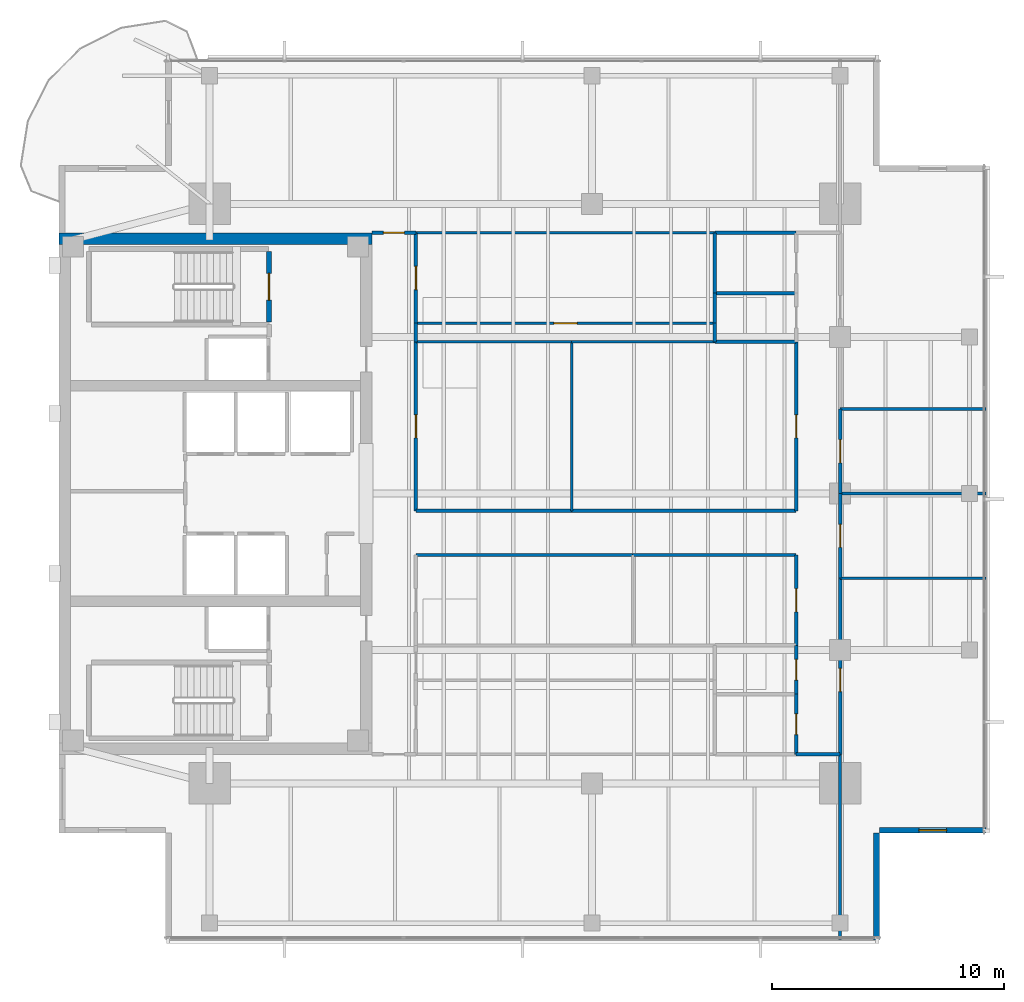
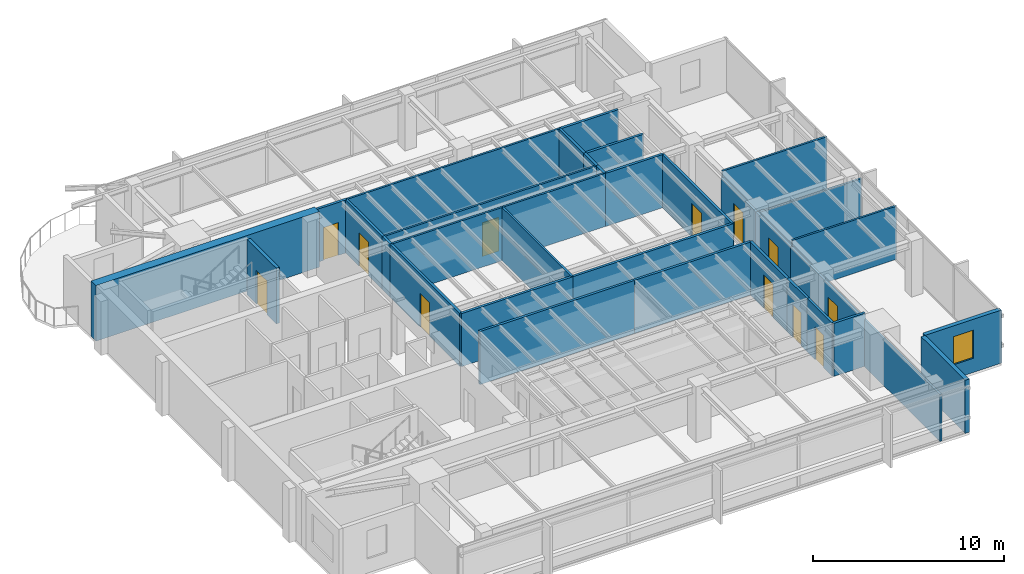
# One storey, part 9 of 14: 35 walls, 12 doors, 1 window, 13 openings.
"""IFC4 building model written with IfcOpenShell, lengths in metres."""

import ifcopenshell
import ifcopenshell.guid

model = None  # the IFC model being written
_history = None  # IfcOwnerHistory: only IFC2X3 demands one
_inside = {}  # id of a spatial element -> (the spatial element, [elements in it])
_under = {}  # id of a project, library or spatial element -> (it, [spatial elements below it])
_declared = {}  # id of a project -> (the project, [libraries it declares])
_typed = {}  # id of a type object -> (the type object, [elements of that type])
_made_of = {}  # id of a material, layer set ... -> (it, [elements and type objects made of it])


def new_model(schema):
    """Start an empty IFC model of exactly this schema.

    Asked for "IFC4X3", IfcOpenShell would pick the latest addendum, in which some entities
    have other attributes; the version numbers below select the first issue.
    IFC2X3 requires an IfcOwnerHistory on every rooted entity: one is made here for all.
    """
    global model, _history
    if schema == "IFC4X3":
        model = ifcopenshell.file(schema_version=(4, 3, 0, 0))
    else:
        model = ifcopenshell.file(schema=schema)
    _inside.clear()
    _under.clear()
    _declared.clear()
    _typed.clear()
    _made_of.clear()
    _history = None
    if model.schema == "IFC2X3":
        org = make("IfcOrganization", Name="unknown")
        user = make(
            "IfcPersonAndOrganization",
            ThePerson=make("IfcPerson", FamilyName="unknown"),
            TheOrganization=org,
        )
        app = make(
            "IfcApplication",
            ApplicationDeveloper=org,
            Version="unknown",
            ApplicationFullName="unknown",
            ApplicationIdentifier="unknown",
        )
        _history = make(
            "IfcOwnerHistory",
            OwningUser=user,
            OwningApplication=app,
            ChangeAction="ADDED",
            CreationDate=0,
        )
    return model


def make(cls, **values):
    """One entity of the class cls with the attributes given. An attribute that is None is left unset."""
    return model.create_entity(
        cls, **{name: value for name, value in values.items() if value is not None}
    )


def rooted(cls, **values):
    """An entity with a GlobalId (a new one), such as an element, a storey or a relation."""
    return make(cls, GlobalId=ifcopenshell.guid.new(), OwnerHistory=_history, **values)


def si_unit(unit_type, name, prefix=None):
    """IfcSIUnit, for example si_unit("LENGTHUNIT", "METRE", prefix="MILLI")."""
    return make("IfcSIUnit", UnitType=unit_type, Prefix=prefix, Name=name)


def assignment(units):
    """IfcUnitAssignment: the units of a project."""
    return None if units is None else make("IfcUnitAssignment", Units=units)


def point(xyz):
    """IfcCartesianPoint."""
    return None if xyz is None else make("IfcCartesianPoint", Coordinates=xyz)


def direction(xyz):
    """IfcDirection."""
    return None if xyz is None else make("IfcDirection", DirectionRatios=xyz)


def frame(location, z_axis=None, x_axis=None):
    """IfcAxis2Placement3D, a coordinate frame: its origin and axes. An axis left out is left unset."""
    return make(
        "IfcAxis2Placement3D",
        Location=point(location),
        Axis=direction(z_axis),
        RefDirection=direction(x_axis),
    )


def frame_2d(location, x_axis=None):
    """IfcAxis2Placement2D, a coordinate frame in the plane: its origin and x axis."""
    return make(
        "IfcAxis2Placement2D", Location=point(location), RefDirection=direction(x_axis)
    )


def origin():
    """The frame at (0, 0, 0) with its axes left unset."""
    return frame((0.0, 0.0, 0.0))


def place(relative_to, where):
    """IfcLocalPlacement: puts the frame where relative to a parent placement (None: the world)."""
    return make(
        "IfcLocalPlacement", PlacementRelTo=relative_to, RelativePlacement=where
    )


def context(
    kind, dimensions, precision=None, world=None, true_north=None, identifier=None
):
    """IfcGeometricRepresentationContext, for example the 3D "Model" context."""
    return make(
        "IfcGeometricRepresentationContext",
        ContextIdentifier=identifier,
        ContextType=kind,
        CoordinateSpaceDimension=dimensions,
        Precision=precision,
        WorldCoordinateSystem=world,
        TrueNorth=true_north,
    )


def subcontext(parent, identifier, kind, view, scale=None):
    """IfcGeometricRepresentationSubContext, for example "Body" below "Model"."""
    return make(
        "IfcGeometricRepresentationSubContext",
        ContextIdentifier=identifier,
        ContextType=kind,
        ParentContext=parent,
        TargetScale=scale,
        TargetView=view,
    )


def project(units=None, contexts=None):
    """IfcProject with its units and contexts."""
    return rooted(
        "IfcProject",
        Name="project",
        RepresentationContexts=contexts,
        UnitsInContext=assignment(units),
    )


def spatial(cls, under=None, at=None, **own):
    """A site, building, storey or space (cls), placed at a placement, below another one or the project."""
    s = rooted(cls, ObjectPlacement=at, **own)
    if under is not None:
        _under.setdefault(under.id(), (under, []))[1].append(s)
    return s


def profile(cls, at=None, kind="AREA", **sizes):
    """A parametric profile (cls). Its sizes go by their IFC names, for example OverallWidth=200.0."""
    return make(cls, ProfileType=kind, Position=at, **sizes)


def rectangle(**sizes):
    """IfcRectangleProfileDef."""
    return profile("IfcRectangleProfileDef", **sizes)


def extrude(swept, where, along, depth):
    """IfcExtrudedAreaSolid: the profile swept, set in the frame where, extruded along a direction by depth."""
    return make(
        "IfcExtrudedAreaSolid",
        SweptArea=swept,
        Position=where,
        ExtrudedDirection=direction(along),
        Depth=depth,
    )


def shape(context_of_items, identifier, shape_type, items):
    """IfcShapeRepresentation: the items that make up one representation, for example the "Body"."""
    return make(
        "IfcShapeRepresentation",
        ContextOfItems=context_of_items,
        RepresentationIdentifier=identifier,
        RepresentationType=shape_type,
        Items=items,
    )


def material(Name=None, Category=None):
    """IfcMaterial."""
    return make("IfcMaterial", Name=Name, Category=Category)


def layer(
    of_material, thickness, ventilated=None, Name=None, Category=None, Priority=None
):
    """IfcMaterialLayer: one layer of a wall or slab, of a material (None: an air gap)."""
    return make(
        "IfcMaterialLayer",
        Material=of_material,
        LayerThickness=thickness,
        IsVentilated=ventilated,
        Name=Name,
        Category=Category,
        Priority=Priority,
    )


def layer_set(layers, Name=None):
    """IfcMaterialLayerSet."""
    return make("IfcMaterialLayerSet", MaterialLayers=layers, LayerSetName=Name)


def made_of(thing, what):
    """Note that an element or type object is made of a material, layer set ...; save() writes the relation."""
    if what is not None:
        _made_of.setdefault(what.id(), (what, []))[1].append(thing)
    return thing


def type_object(cls, material=None, **own):
    """A type object (cls), such as IfcWallType, which elements share."""
    return made_of(rooted(cls, **own), material)


def element(
    cls,
    number,
    at=None,
    inside=None,
    cuts=None,
    type_object=None,
    material=None,
    context=None,
    identifier="Body",
    shape_type=None,
    held_by="IfcProductDefinitionShape",
    body=None,
    shapes=None,
    **own,
):
    """One element of the class cls, such as IfcWall. Its Tag is "e" and its number.

    at: its placement. inside: the storey or other place that contains it. cuts: it is an
    opening in that element (IfcRelVoidsElement). A single representation is given by context,
    identifier, shape_type and body (its items); several are given by shapes. held_by: the class
    of the entity that holds the representations. save() writes the other relations.
    """
    e = rooted(cls, Tag="e%d" % number, ObjectPlacement=at, **own)
    if body is not None:
        shapes = [shape(context, identifier, shape_type, body)]
    if shapes is not None:
        e.Representation = make(held_by, Representations=shapes)
    if inside is not None:
        _inside.setdefault(inside.id(), (inside, []))[1].append(e)
    if cuts is not None:
        rooted(
            "IfcRelVoidsElement", RelatingBuildingElement=cuts, RelatedOpeningElement=e
        )
    if type_object is not None:
        _typed.setdefault(type_object.id(), (type_object, []))[1].append(e)
    return made_of(e, material)


def fill(opening, filler):
    """IfcRelFillsElement: the door or window that sits in an opening."""
    return rooted(
        "IfcRelFillsElement",
        RelatingOpeningElement=opening,
        RelatedBuildingElement=filler,
    )


def aggregate(whole, parts):
    """IfcRelAggregates: a whole, such as a stair, and the parts it consists of."""
    return rooted("IfcRelAggregates", RelatingObject=whole, RelatedObjects=parts)


def save(model, path):
    """Write the relations noted so far, then the file.

    IfcRelAggregates (storeys below a building ...), IfcRelContainedInSpatialStructure (elements
    in a storey), IfcRelDefinesByType, IfcRelAssociatesMaterial and IfcRelDeclares: one each for
    every whole, place, type object, material and project.
    """
    for whole, parts in _under.values():
        aggregate(whole, parts)
    for where, things in _inside.values():
        rooted(
            "IfcRelContainedInSpatialStructure",
            RelatedElements=things,
            RelatingStructure=where,
        )
    for kind, things in _typed.values():
        rooted("IfcRelDefinesByType", RelatedObjects=things, RelatingType=kind)
    for what, things in _made_of.values():
        rooted("IfcRelAssociatesMaterial", RelatedObjects=things, RelatingMaterial=what)
    for by, libraries in _declared.values():
        rooted("IfcRelDeclares", RelatingContext=by, RelatedDefinitions=libraries)
    model.write(path)


model = new_model("IFC4")

# Units and contexts
model_context = context("Model", 3, precision=1e-05, world=origin(), true_north=direction((0.0, 1.0)))
body_context = subcontext(model_context, "Body", "Model", "MODEL_VIEW")
ifc_project = project(units=[si_unit("LENGTHUNIT", "METRE"), si_unit("AREAUNIT", "SQUARE_METRE"), si_unit("VOLUMEUNIT", "CUBIC_METRE"), si_unit("PLANEANGLEUNIT", "RADIAN"), si_unit("MASSUNIT", "GRAM", prefix="KILO")], contexts=[model_context])

# Site, building, storey
site_placement = place(None, origin())
site = spatial("IfcSite", under=ifc_project, at=site_placement, CompositionType="ELEMENT")
building_placement = place(site_placement, origin())
building = spatial("IfcBuilding", under=site, at=building_placement, Name="Kinhvarn Gate Tower", CompositionType="ELEMENT")
storey_placement = place(building_placement, frame((0.0, 0.0, 256.35009765625)))
storey = spatial("IfcBuildingStorey", under=building, at=storey_placement, Name="L68", CompositionType="ELEMENT", Elevation=256.35009765625)

# Walls
ifc_material_1 = material(Name="Concrete C50/60", Category="concrete")
ifc_layer_1 = layer(ifc_material_1, 0.5)
ifc_layer_set_1 = layer_set([ifc_layer_1], Name="Concrete C50/60")
wall_type_1 = type_object("IfcWallType", Name="WL-CORE-500", PredefinedType="SHEAR", material=ifc_layer_set_1)
wall_1_placement = place(storey_placement, frame((4.5, 36.25, 0.0), z_axis=(0.0, 0.0, 1.0), x_axis=(1.0, 0.0, 0.0)))
element("IfcWall", 1, at=wall_1_placement, inside=storey, type_object=wall_type_1, Name="Core North Shear Wall L68 500 mm", PredefinedType="SHEAR", context=body_context, shape_type="SweptSolid", body=[
    extrude(rectangle(XDim=13.5, YDim=0.5, at=frame_2d((6.75, 0.0))), origin(), (0.0, 0.0, 1.0), 3.5498046875),
])
ifc_material_2 = material(Name="Fired architectural terracotta", Category="masonry")
ifc_layer_2 = layer(ifc_material_2, 0.25)
ifc_layer_set_2 = layer_set([ifc_layer_2], Name="Fired architectural terracotta")
wall_type_2 = type_object("IfcWallType", Name="WL-EXT-250", PredefinedType="SOLIDWALL", material=ifc_layer_set_2)
wall_2_placement = place(storey_placement, frame((39.77490234375, 6.0, 0.0), z_axis=(0.0, 0.0, 1.0), x_axis=(0.0, 1.0, 0.0)))
element("IfcWall", 2, at=wall_2_placement, inside=storey, type_object=wall_type_2, Name="Exterior Solidwall Wall EW-250 (L68 SE-Notch-1)", PredefinedType="SOLIDWALL", context=body_context, shape_type="SweptSolid", body=[
    extrude(rectangle(XDim=4.60009765625, YDim=0.25, at=frame_2d((2.300048828125, 0.0))), origin(), (0.0, 0.0, 1.0), 3.389892578125),
])

# Wall, opening, window
wall_3_placement = place(storey_placement, frame((39.89990234375, 10.72509765625, 0.0), z_axis=(0.0, 0.0, 1.0), x_axis=(1.0, 0.0, 0.0)))
wall_3 = element("IfcWall", 3, at=wall_3_placement, inside=storey, type_object=wall_type_2, Name="Exterior Solidwall Wall EW-250 (L68 SE-Notch-2)", PredefinedType="SOLIDWALL", context=body_context, shape_type="SweptSolid", body=[
    extrude(rectangle(XDim=4.60009765625, YDim=0.25, at=frame_2d((2.300048828125, 0.0))), origin(), (0.0, 0.0, 1.0), 3.389892578125),
])
opening_1_placement = place(wall_3_placement, frame((1.699951171875, 0.0, 0.89990234375)))
opening_1 = element("IfcOpeningElement", 4, at=opening_1_placement, cuts=wall_3, Name="Opening WN-02", PredefinedType="OPENING", context=body_context, shape_type="SweptSolid", body=[
    extrude(rectangle(XDim=1.199951171875, YDim=1.800048828125, at=frame_2d((0.60009765625, 0.89990234375))), frame((0.0, 0.135009765625, 0.0), z_axis=(0.0, -1.0, 0.0), x_axis=(1.0, 0.0, 0.0)), (0.0, 0.0, 1.0), 0.27001953125),
])
ifc_material_3 = material(Name="Clear low-e double glazing", Category="glass")
window_type = type_object("IfcWindowType", Name="WIN-NTC-1200", PartitioningType="SINGLE_PANEL", PredefinedType="WINDOW", material=ifc_material_3)
window_placement = place(opening_1_placement, origin())
window = element("IfcWindow", 5, at=window_placement, inside=storey, type_object=window_type, Name="Recessed Corner Notch Punched Window 1200x1800 mm (L68)", OverallHeight=1.800048828125, OverallWidth=1.199951171875, PartitioningType="SINGLE_PANEL", PredefinedType="WINDOW", context=body_context, shape_type="SweptSolid", body=[
    extrude(rectangle(XDim=1.199951171875, YDim=1.800048828125, at=frame_2d((0.60009765625, 0.89990234375))), frame((0.0, 0.030029296875, 0.0), z_axis=(0.0, -1.0, 0.0), x_axis=(1.0, 0.0, 0.0)), (0.0, 0.0, 1.0), 0.06005859375),
])
fill(opening_1, window)

# Walls
ifc_material_4 = material(Name="Gypsum acoustic partition board")
ifc_layer_3 = layer(ifc_material_4, 0.14990234375)
ifc_layer_set_3 = layer_set([ifc_layer_3], Name="Gypsum acoustic partition board")
wall_type_3 = type_object("IfcWallType", Name="WL-PLM-150", PredefinedType="PLUMBINGWALL", material=ifc_layer_set_3)
wall_4_placement = place(storey_placement, frame((32.800048828125, 33.89990234375, 0.0), z_axis=(0.0, 0.0, 1.0), x_axis=(1.0, 0.0, 0.0)))
element("IfcWall", 6, at=wall_4_placement, inside=storey, type_object=wall_type_3, Name="Interior Partition PLW-150 (L68)", PredefinedType="PLUMBINGWALL", context=body_context, shape_type="SweptSolid", body=[
    extrude(rectangle(XDim=3.5, YDim=0.14990234375, at=frame_2d((1.75, 0.0))), origin(), (0.0, 0.0, 1.0), 3.389892578125),
])
wall_5_placement = place(storey_placement, frame((32.800048828125, 33.89990234375, 0.0), z_axis=(0.0, 0.0, 1.0), x_axis=(0.0, 1.0, 0.0)))
element("IfcWall", 7, at=wall_5_placement, inside=storey, type_object=wall_type_3, Name="Interior Partition PLW-150 (L68)", PredefinedType="PLUMBINGWALL", context=body_context, shape_type="SweptSolid", body=[
    extrude(rectangle(XDim=2.60009765625, YDim=0.14990234375, at=frame_2d((1.300048828125, 0.0))), origin(), (0.0, 0.0, 1.0), 3.389892578125),
])
wall_6_placement = place(storey_placement, frame((32.800048828125, 36.5, 0.0), z_axis=(0.0, 0.0, 1.0), x_axis=(1.0, 0.0, 0.0)))
element("IfcWall", 8, at=wall_6_placement, inside=storey, type_object=wall_type_3, Name="Interior Partition PLW-150 (L68)", PredefinedType="PLUMBINGWALL", context=body_context, shape_type="SweptSolid", body=[
    extrude(rectangle(XDim=3.5, YDim=0.14990234375, at=frame_2d((1.75, 0.0))), origin(), (0.0, 0.0, 1.0), 3.389892578125),
])
wall_7_placement = place(storey_placement, frame((32.800048828125, 32.60009765625, 0.0), z_axis=(0.0, 0.0, 1.0), x_axis=(0.0, 1.0, 0.0)))
element("IfcWall", 9, at=wall_7_placement, inside=storey, type_object=wall_type_3, Name="Interior Partition PLW-150 (L68)", PredefinedType="PLUMBINGWALL", context=body_context, shape_type="SweptSolid", body=[
    extrude(rectangle(XDim=1.2998046875, YDim=0.14990234375, at=frame_2d((0.64990234375, 0.0))), origin(), (0.0, 0.0, 1.0), 3.389892578125),
])
wall_8_placement = place(storey_placement, frame((32.800048828125, 31.800048828125, 0.0), z_axis=(0.0, 0.0, 1.0), x_axis=(0.0, 1.0, 0.0)))
element("IfcWall", 10, at=wall_8_placement, inside=storey, type_object=wall_type_3, Name="Interior Partition PLW-150 (L68)", PredefinedType="PLUMBINGWALL", context=body_context, shape_type="SweptSolid", body=[
    extrude(rectangle(XDim=0.800048828125, YDim=0.14990234375, at=frame_2d((0.39990234375, 0.0))), origin(), (0.0, 0.0, 1.0), 3.389892578125),
])
wall_9_placement = place(storey_placement, frame((32.800048828125, 31.800048828125, 0.0), z_axis=(0.0, 0.0, 1.0), x_axis=(1.0, 0.0, 0.0)))
element("IfcWall", 11, at=wall_9_placement, inside=storey, type_object=wall_type_3, Name="Interior Partition PLW-150 (L68)", PredefinedType="PLUMBINGWALL", context=body_context, shape_type="SweptSolid", body=[
    extrude(rectangle(XDim=3.5, YDim=0.14990234375, at=frame_2d((1.75, 0.0))), origin(), (0.0, 0.0, 1.0), 3.389892578125),
])

# Wall, opening, door
ifc_layer_4 = layer(ifc_material_4, 0.14990234375)
ifc_layer_set_4 = layer_set([ifc_layer_4], Name="Gypsum acoustic partition board")
wall_type_4 = type_object("IfcWallType", Name="WL-PLM-150F", PredefinedType="PLUMBINGWALL", material=ifc_layer_set_4)
wall_10_placement = place(storey_placement, frame((36.300048828125, 14.0, 0.0), z_axis=(0.0, 0.0, 1.0), x_axis=(0.0, 1.0, 0.0)))
wall_10 = element("IfcWall", 12, at=wall_10_placement, inside=storey, type_object=wall_type_4, Name="Interior Partition PLW-150F (L68)", PredefinedType="PLUMBINGWALL", context=body_context, shape_type="SweptSolid", body=[
    extrude(rectangle(XDim=2.60009765625, YDim=0.14990234375, at=frame_2d((1.300048828125, 0.0))), origin(), (0.0, 0.0, 1.0), 3.389892578125),
])
opening_2_placement = place(wall_10_placement, frame((0.85009765625, 0.0, 0.0)))
opening_2 = element("IfcOpeningElement", 13, at=opening_2_placement, cuts=wall_10, Name="Opening FD-04", PredefinedType="OPENING", context=body_context, shape_type="SweptSolid", body=[
    extrude(rectangle(XDim=0.89990234375, YDim=2.10009765625, at=frame_2d((0.449951171875, 1.050048828125))), frame((0.0, 0.0849609375, 0.0), z_axis=(0.0, -1.0, 0.0), x_axis=(1.0, 0.0, 0.0)), (0.0, 0.0, 1.0), 0.169921875),
])
ifc_material_5 = material(Name="Anodised aluminium AW-6063", Category="aluminium")
door_type_1 = type_object("IfcDoorType", Name="DR-FD-900", OperationType="NOTDEFINED", PredefinedType="DOOR", material=ifc_material_5)
door_1_placement = place(opening_2_placement, origin())
door_1 = element("IfcDoor", 14, at=door_1_placement, inside=storey, type_object=door_type_1, Name="Rated Riser & Service Closet Fire Door 900x2100 mm (L68)", OperationType="SINGLE_SWING_LEFT", OverallHeight=2.10009765625, OverallWidth=0.89990234375, PredefinedType="DOOR", context=body_context, shape_type="SweptSolid", body=[
    extrude(rectangle(XDim=0.89990234375, YDim=2.10009765625, at=frame_2d((0.449951171875, 1.050048828125))), frame((0.0, 0.02490234375, 0.0), z_axis=(0.0, -1.0, 0.0), x_axis=(1.0, 0.0, 0.0)), (0.0, 0.0, 1.0), 0.050048828125),
])
fill(opening_2, door_1)

wall_11_placement = place(storey_placement, frame((36.300048828125, 16.60009765625, 0.0), z_axis=(0.0, 0.0, 1.0), x_axis=(0.0, 1.0, 0.0)))
wall_11 = element("IfcWall", 15, at=wall_11_placement, inside=storey, type_object=wall_type_4, Name="Interior Partition PLW-150F (L68)", PredefinedType="PLUMBINGWALL", context=body_context, shape_type="SweptSolid", body=[
    extrude(rectangle(XDim=2.099853515625, YDim=0.14990234375, at=frame_2d((1.0498046875, 0.0))), origin(), (0.0, 0.0, 1.0), 3.389892578125),
])
opening_3_placement = place(wall_11_placement, frame((0.60009765625, 0.0, 0.0)))
opening_3 = element("IfcOpeningElement", 16, at=opening_3_placement, cuts=wall_11, Name="Opening FD-04", PredefinedType="OPENING", context=body_context, shape_type="SweptSolid", body=[
    extrude(rectangle(XDim=0.89990234375, YDim=2.10009765625, at=frame_2d((0.449951171875, 1.050048828125))), frame((0.0, 0.0849609375, 0.0), z_axis=(0.0, -1.0, 0.0), x_axis=(1.0, 0.0, 0.0)), (0.0, 0.0, 1.0), 0.169921875),
])
door_2_placement = place(opening_3_placement, origin())
door_2 = element("IfcDoor", 17, at=door_2_placement, inside=storey, type_object=door_type_1, Name="Rated Riser & Service Closet Fire Door 900x2100 mm (L68)", OperationType="SINGLE_SWING_LEFT", OverallHeight=2.10009765625, OverallWidth=0.89990234375, PredefinedType="DOOR", context=body_context, shape_type="SweptSolid", body=[
    extrude(rectangle(XDim=0.89990234375, YDim=2.10009765625, at=frame_2d((0.449951171875, 1.050048828125))), frame((0.0, 0.02490234375, 0.0), z_axis=(0.0, -1.0, 0.0), x_axis=(1.0, 0.0, 0.0)), (0.0, 0.0, 1.0), 0.050048828125),
])
fill(opening_3, door_2)

ifc_layer_5 = layer(ifc_material_4, 0.1201171875)
ifc_layer_set_5 = layer_set([ifc_layer_5], Name="Gypsum acoustic partition board")
wall_type_5 = type_object("IfcWallType", Name="WL-PRT-120", PredefinedType="PARTITIONING", material=ifc_layer_set_5)
wall_12_placement = place(storey_placement, frame((19.89990234375, 32.60009765625, 0.0), z_axis=(0.0, 0.0, 1.0), x_axis=(1.0, 0.0, 0.0)))
wall_12 = element("IfcWall", 18, at=wall_12_placement, inside=storey, type_object=wall_type_5, Name="Interior Partition PW-120 (L68)", PredefinedType="PARTITIONING", context=body_context, shape_type="SweptSolid", body=[
    extrude(rectangle(XDim=12.900146484375, YDim=0.1201171875, at=frame_2d((6.4501953125, 0.0))), origin(), (0.0, 0.0, 1.0), 3.389892578125),
])
opening_4_placement = place(wall_12_placement, frame((5.949951171875, 0.0, 0.0)))
opening_4 = element("IfcOpeningElement", 19, at=opening_4_placement, cuts=wall_12, Name="Opening ID-02", PredefinedType="OPENING", context=body_context, shape_type="SweptSolid", body=[
    extrude(rectangle(XDim=1.0, YDim=2.14990234375, at=frame_2d((0.5, 1.074951171875))), frame((0.0, 0.070068359375, 0.0), z_axis=(0.0, -1.0, 0.0), x_axis=(1.0, 0.0, 0.0)), (0.0, 0.0, 1.0), 0.14013671875),
])
door_type_2 = type_object("IfcDoorType", Name="DR-INT-1000", OperationType="NOTDEFINED", PredefinedType="DOOR", material=ifc_material_5)
door_3_placement = place(opening_4_placement, origin())
door_3 = element("IfcDoor", 20, at=door_3_placement, inside=storey, type_object=door_type_2, Name="Standard Office & Meeting Room Door 1000x2150 mm (L68)", OperationType="SINGLE_SWING_LEFT", OverallHeight=2.14990234375, OverallWidth=1.0, PredefinedType="DOOR", context=body_context, shape_type="SweptSolid", body=[
    extrude(rectangle(XDim=1.0, YDim=2.14990234375, at=frame_2d((0.5, 1.074951171875))), frame((0.0, 0.02490234375, 0.0), z_axis=(0.0, -1.0, 0.0), x_axis=(1.0, 0.0, 0.0)), (0.0, 0.0, 1.0), 0.050048828125),
])
fill(opening_4, door_3)

# Walls
wall_13_placement = place(storey_placement, frame((19.89990234375, 36.5, 0.0), z_axis=(0.0, 0.0, 1.0), x_axis=(1.0, 0.0, 0.0)))
element("IfcWall", 21, at=wall_13_placement, inside=storey, type_object=wall_type_5, Name="Interior Partition PW-120 (L68)", PredefinedType="PARTITIONING", context=body_context, shape_type="SweptSolid", body=[
    extrude(rectangle(XDim=12.900146484375, YDim=0.1201171875, at=frame_2d((6.4501953125, 0.0))), origin(), (0.0, 0.0, 1.0), 3.389892578125),
])
wall_14_placement = place(storey_placement, frame((19.89990234375, 31.800048828125, 0.0), z_axis=(0.0, 0.0, 1.0), x_axis=(1.0, 0.0, 0.0)))
element("IfcWall", 22, at=wall_14_placement, inside=storey, type_object=wall_type_5, Name="Interior Partition PW-120 (L68)", PredefinedType="PARTITIONING", context=body_context, shape_type="SweptSolid", body=[
    extrude(rectangle(XDim=6.72021484375, YDim=0.1201171875, at=frame_2d((3.360107421875, 0.0))), origin(), (0.0, 0.0, 1.0), 3.389892578125),
])
wall_15_placement = place(storey_placement, frame((26.6201171875, 31.800048828125, 0.0), z_axis=(0.0, 0.0, 1.0), x_axis=(1.0, 0.0, 0.0)))
element("IfcWall", 23, at=wall_15_placement, inside=storey, type_object=wall_type_5, Name="Interior Partition PW-120 (L68)", PredefinedType="PARTITIONING", context=body_context, shape_type="SweptSolid", body=[
    extrude(rectangle(XDim=6.179931640625, YDim=0.1201171875, at=frame_2d((3.08984375, 0.0))), origin(), (0.0, 0.0, 1.0), 3.389892578125),
])
wall_16_placement = place(storey_placement, frame((26.6201171875, 24.5, 0.0), z_axis=(0.0, 0.0, 1.0), x_axis=(0.0, 1.0, 0.0)))
element("IfcWall", 24, at=wall_16_placement, inside=storey, type_object=wall_type_5, Name="Interior Partition PW-120 (L68)", PredefinedType="PARTITIONING", context=body_context, shape_type="SweptSolid", body=[
    extrude(rectangle(XDim=7.300048828125, YDim=0.1201171875, at=frame_2d((3.64990234375, 0.0))), origin(), (0.0, 0.0, 1.0), 3.389892578125),
])
wall_17_placement = place(storey_placement, frame((38.199951171875, 6.010009765625, 0.0), z_axis=(0.0, 0.0, 1.0), x_axis=(0.0, 1.0, 0.0)))
element("IfcWall", 25, at=wall_17_placement, inside=storey, type_object=wall_type_5, Name="Interior Partition PW-120 (L68)", PredefinedType="PARTITIONING", context=body_context, shape_type="SweptSolid", body=[
    extrude(rectangle(XDim=7.989990234375, YDim=0.1201171875, at=frame_2d((3.9951171875, 0.0))), origin(), (0.0, 0.0, 1.0), 2.989990234375),
])
wall_18_placement = place(storey_placement, frame((38.199951171875, 21.60009765625, 0.0), z_axis=(0.0, 0.0, 1.0), x_axis=(1.0, 0.0, 0.0)))
element("IfcWall", 26, at=wall_18_placement, inside=storey, type_object=wall_type_5, Name="Interior Partition PW-120 (L68)", PredefinedType="PARTITIONING", context=body_context, shape_type="SweptSolid", body=[
    extrude(rectangle(XDim=6.2900390625, YDim=0.1201171875, at=frame_2d((3.14501953125, 0.0))), origin(), (0.0, 0.0, 1.0), 3.389892578125),
])
wall_19_placement = place(storey_placement, frame((38.199951171875, 25.25, 0.0), z_axis=(0.0, 0.0, 1.0), x_axis=(1.0, 0.0, 0.0)))
element("IfcWall", 27, at=wall_19_placement, inside=storey, type_object=wall_type_5, Name="Interior Partition PW-120 (L68)", PredefinedType="PARTITIONING", context=body_context, shape_type="SweptSolid", body=[
    extrude(rectangle(XDim=6.2900390625, YDim=0.1201171875, at=frame_2d((3.14501953125, 0.0))), origin(), (0.0, 0.0, 1.0), 2.93994140625),
])
wall_20_placement = place(storey_placement, frame((38.199951171875, 28.89990234375, 0.0), z_axis=(0.0, 0.0, 1.0), x_axis=(1.0, 0.0, 0.0)))
element("IfcWall", 28, at=wall_20_placement, inside=storey, type_object=wall_type_5, Name="Interior Partition PW-120 (L68)", PredefinedType="PARTITIONING", context=body_context, shape_type="SweptSolid", body=[
    extrude(rectangle(XDim=6.2900390625, YDim=0.1201171875, at=frame_2d((3.14501953125, 0.0))), origin(), (0.0, 0.0, 1.0), 3.389892578125),
])

# Wall, opening, door
ifc_layer_6 = layer(ifc_material_4, 0.14990234375)
ifc_layer_set_6 = layer_set([ifc_layer_6], Name="Gypsum acoustic partition board")
wall_type_6 = type_object("IfcWallType", Name="WL-PRT-150F", PredefinedType="PARTITIONING", material=ifc_layer_set_6)
wall_21_placement = place(storey_placement, frame((19.89990234375, 32.60009765625, 0.0), z_axis=(0.0, 0.0, 1.0), x_axis=(0.0, 1.0, 0.0)))
wall_21 = element("IfcWall", 29, at=wall_21_placement, inside=storey, type_object=wall_type_6, Name="Interior Partition PW-150F (L68)", PredefinedType="PARTITIONING", context=body_context, shape_type="SweptSolid", body=[
    extrude(rectangle(XDim=3.89990234375, YDim=0.14990234375, at=frame_2d((1.949951171875, 0.0))), origin(), (0.0, 0.0, 1.0), 3.389892578125),
])
opening_5_placement = place(wall_21_placement, frame((1.449951171875, 0.0, 0.0)))
opening_5 = element("IfcOpeningElement", 30, at=opening_5_placement, cuts=wall_21, Name="Opening ID-02", PredefinedType="OPENING", context=body_context, shape_type="SweptSolid", body=[
    extrude(rectangle(XDim=1.0, YDim=2.14990234375, at=frame_2d((0.5, 1.074951171875))), frame((0.0, 0.0849609375, 0.0), z_axis=(0.0, -1.0, 0.0), x_axis=(1.0, 0.0, 0.0)), (0.0, 0.0, 1.0), 0.169921875),
])
door_4_placement = place(opening_5_placement, origin())
door_4 = element("IfcDoor", 31, at=door_4_placement, inside=storey, type_object=door_type_2, Name="Standard Office & Meeting Room Door 1000x2150 mm (L68)", OperationType="SINGLE_SWING_RIGHT", OverallHeight=2.14990234375, OverallWidth=1.0, PredefinedType="DOOR", context=body_context, shape_type="SweptSolid", body=[
    extrude(rectangle(XDim=1.0, YDim=2.14990234375, at=frame_2d((0.5, 1.074951171875))), frame((0.0, 0.02490234375, 0.0), z_axis=(0.0, -1.0, 0.0), x_axis=(1.0, 0.0, 0.0)), (0.0, 0.0, 1.0), 0.050048828125),
])
fill(opening_5, door_4)

# Wall
wall_22_placement = place(storey_placement, frame((19.89990234375, 31.800048828125, 0.0), z_axis=(0.0, 0.0, 1.0), x_axis=(0.0, 1.0, 0.0)))
element("IfcWall", 32, at=wall_22_placement, inside=storey, type_object=wall_type_6, Name="Interior Partition PW-150F (L68)", PredefinedType="PARTITIONING", context=body_context, shape_type="SweptSolid", body=[
    extrude(rectangle(XDim=0.800048828125, YDim=0.14990234375, at=frame_2d((0.39990234375, 0.0))), origin(), (0.0, 0.0, 1.0), 3.389892578125),
])

# Wall, opening, door
wall_23_placement = place(storey_placement, frame((19.89990234375, 24.5, 0.0), z_axis=(0.0, 0.0, 1.0), x_axis=(0.0, 1.0, 0.0)))
wall_23 = element("IfcWall", 33, at=wall_23_placement, inside=storey, type_object=wall_type_6, Name="Interior Partition PW-150F (L68)", PredefinedType="PARTITIONING", context=body_context, shape_type="SweptSolid", body=[
    extrude(rectangle(XDim=7.300048828125, YDim=0.14990234375, at=frame_2d((3.64990234375, 0.0))), origin(), (0.0, 0.0, 1.0), 3.389892578125),
])
opening_6_placement = place(wall_23_placement, frame((3.14990234375, 0.0, 0.0)))
opening_6 = element("IfcOpeningElement", 34, at=opening_6_placement, cuts=wall_23, Name="Opening ID-02", PredefinedType="OPENING", context=body_context, shape_type="SweptSolid", body=[
    extrude(rectangle(XDim=1.0, YDim=2.14990234375, at=frame_2d((0.5, 1.074951171875))), frame((0.0, 0.0849609375, 0.0), z_axis=(0.0, -1.0, 0.0), x_axis=(1.0, 0.0, 0.0)), (0.0, 0.0, 1.0), 0.169921875),
])
door_5_placement = place(opening_6_placement, origin())
door_5 = element("IfcDoor", 35, at=door_5_placement, inside=storey, type_object=door_type_2, Name="Standard Office & Meeting Room Door 1000x2150 mm (L68)", OperationType="SINGLE_SWING_RIGHT", OverallHeight=2.14990234375, OverallWidth=1.0, PredefinedType="DOOR", context=body_context, shape_type="SweptSolid", body=[
    extrude(rectangle(XDim=1.0, YDim=2.14990234375, at=frame_2d((0.5, 1.074951171875))), frame((0.0, 0.02490234375, 0.0), z_axis=(0.0, -1.0, 0.0), x_axis=(1.0, 0.0, 0.0)), (0.0, 0.0, 1.0), 0.050048828125),
])
fill(opening_6, door_5)

wall_24_placement = place(storey_placement, frame((18.0, 36.5, 0.0), z_axis=(0.0, 0.0, 1.0), x_axis=(1.0, 0.0, 0.0)))
wall_24 = element("IfcWall", 36, at=wall_24_placement, inside=storey, type_object=wall_type_6, Name="Interior Partition PW-150F (L68)", PredefinedType="PARTITIONING", context=body_context, shape_type="SweptSolid", body=[
    extrude(rectangle(XDim=1.89990234375, YDim=0.14990234375, at=frame_2d((0.949951171875, 0.0))), origin(), (0.0, 0.0, 1.0), 3.389892578125),
])
opening_7_placement = place(wall_24_placement, frame((0.5, 0.0, 0.0)))
opening_7 = element("IfcOpeningElement", 37, at=opening_7_placement, cuts=wall_24, Name="Opening ID-03", PredefinedType="OPENING", context=body_context, shape_type="SweptSolid", body=[
    extrude(rectangle(XDim=0.89990234375, YDim=2.10009765625, at=frame_2d((0.449951171875, 1.050048828125))), frame((0.0, 0.0849609375, 0.0), z_axis=(0.0, -1.0, 0.0), x_axis=(1.0, 0.0, 0.0)), (0.0, 0.0, 1.0), 0.169921875),
])
door_type_3 = type_object("IfcDoorType", Name="DR-INT-900", OperationType="NOTDEFINED", PredefinedType="DOOR", material=ifc_material_5)
door_6_placement = place(opening_7_placement, origin())
door_6 = element("IfcDoor", 38, at=door_6_placement, inside=storey, type_object=door_type_3, Name="Cellular Office & Restroom Door 900x2100 mm (L68)", OperationType="SINGLE_SWING_RIGHT", OverallHeight=2.10009765625, OverallWidth=0.89990234375, PredefinedType="DOOR", context=body_context, shape_type="SweptSolid", body=[
    extrude(rectangle(XDim=0.89990234375, YDim=2.10009765625, at=frame_2d((0.449951171875, 1.050048828125))), frame((0.0, 0.02490234375, 0.0), z_axis=(0.0, -1.0, 0.0), x_axis=(1.0, 0.0, 0.0)), (0.0, 0.0, 1.0), 0.050048828125),
])
fill(opening_7, door_6)

# Walls
wall_25_placement = place(storey_placement, frame((19.89990234375, 22.60009765625, 0.0), z_axis=(0.0, 0.0, 1.0), x_axis=(1.0, 0.0, 0.0)))
element("IfcWall", 39, at=wall_25_placement, inside=storey, type_object=wall_type_6, Name="Interior Partition PW-150F (L68)", PredefinedType="PARTITIONING", context=body_context, shape_type="SweptSolid", body=[
    extrude(rectangle(XDim=9.35009765625, YDim=0.14990234375, at=frame_2d((4.675048828125, 0.0))), origin(), (0.0, 0.0, 1.0), 3.389892578125),
])
wall_26_placement = place(storey_placement, frame((29.25, 22.60009765625, 0.0), z_axis=(0.0, 0.0, 1.0), x_axis=(1.0, 0.0, 0.0)))
element("IfcWall", 40, at=wall_26_placement, inside=storey, type_object=wall_type_6, Name="Interior Partition PW-150F (L68)", PredefinedType="PARTITIONING", context=body_context, shape_type="SweptSolid", body=[
    extrude(rectangle(XDim=7.050048828125, YDim=0.14990234375, at=frame_2d((3.52490234375, 0.0))), origin(), (0.0, 0.0, 1.0), 3.389892578125),
])
wall_27_placement = place(storey_placement, frame((19.89990234375, 24.5, 0.0), z_axis=(0.0, 0.0, 1.0), x_axis=(1.0, 0.0, 0.0)))
element("IfcWall", 41, at=wall_27_placement, inside=storey, type_object=wall_type_6, Name="Interior Partition PW-150F (L68)", PredefinedType="PARTITIONING", context=body_context, shape_type="SweptSolid", body=[
    extrude(rectangle(XDim=6.72021484375, YDim=0.14990234375, at=frame_2d((3.360107421875, 0.0))), origin(), (0.0, 0.0, 1.0), 3.389892578125),
])
wall_28_placement = place(storey_placement, frame((26.6201171875, 24.5, 0.0), z_axis=(0.0, 0.0, 1.0), x_axis=(1.0, 0.0, 0.0)))
element("IfcWall", 42, at=wall_28_placement, inside=storey, type_object=wall_type_6, Name="Interior Partition PW-150F (L68)", PredefinedType="PARTITIONING", context=body_context, shape_type="SweptSolid", body=[
    extrude(rectangle(XDim=9.679931640625, YDim=0.14990234375, at=frame_2d((4.83984375, 0.0))), origin(), (0.0, 0.0, 1.0), 3.389892578125),
])

# Wall, opening, door
wall_29_placement = place(storey_placement, frame((36.300048828125, 18.699951171875, 0.0), z_axis=(0.0, 0.0, 1.0), x_axis=(0.0, 1.0, 0.0)))
wall_29 = element("IfcWall", 43, at=wall_29_placement, inside=storey, type_object=wall_type_6, Name="Interior Partition PW-150F (L68)", PredefinedType="PARTITIONING", context=body_context, shape_type="SweptSolid", body=[
    extrude(rectangle(XDim=3.900146484375, YDim=0.14990234375, at=frame_2d((1.9501953125, 0.0))), origin(), (0.0, 0.0, 1.0), 3.389892578125),
])
opening_8_placement = place(wall_29_placement, frame((1.449951171875, 0.0, 0.0)))
opening_8 = element("IfcOpeningElement", 44, at=opening_8_placement, cuts=wall_29, Name="Opening ID-02", PredefinedType="OPENING", context=body_context, shape_type="SweptSolid", body=[
    extrude(rectangle(XDim=1.0, YDim=2.14990234375, at=frame_2d((0.5, 1.074951171875))), frame((0.0, 0.0849609375, 0.0), z_axis=(0.0, -1.0, 0.0), x_axis=(1.0, 0.0, 0.0)), (0.0, 0.0, 1.0), 0.169921875),
])
door_7_placement = place(opening_8_placement, origin())
door_7 = element("IfcDoor", 45, at=door_7_placement, inside=storey, type_object=door_type_2, Name="Standard Office & Meeting Room Door 1000x2150 mm (L68)", OperationType="SINGLE_SWING_LEFT", OverallHeight=2.14990234375, OverallWidth=1.0, PredefinedType="DOOR", context=body_context, shape_type="SweptSolid", body=[
    extrude(rectangle(XDim=1.0, YDim=2.14990234375, at=frame_2d((0.5, 1.074951171875))), frame((0.0, 0.02490234375, 0.0), z_axis=(0.0, -1.0, 0.0), x_axis=(1.0, 0.0, 0.0)), (0.0, 0.0, 1.0), 0.050048828125),
])
fill(opening_8, door_7)

wall_30_placement = place(storey_placement, frame((36.300048828125, 24.5, 0.0), z_axis=(0.0, 0.0, 1.0), x_axis=(0.0, 1.0, 0.0)))
wall_30 = element("IfcWall", 46, at=wall_30_placement, inside=storey, type_object=wall_type_6, Name="Interior Partition PW-150F (L68)", PredefinedType="PARTITIONING", context=body_context, shape_type="SweptSolid", body=[
    extrude(rectangle(XDim=7.300048828125, YDim=0.14990234375, at=frame_2d((3.64990234375, 0.0))), origin(), (0.0, 0.0, 1.0), 3.389892578125),
])
opening_9_placement = place(wall_30_placement, frame((3.14990234375, 0.0, 0.0)))
opening_9 = element("IfcOpeningElement", 47, at=opening_9_placement, cuts=wall_30, Name="Opening ID-02", PredefinedType="OPENING", context=body_context, shape_type="SweptSolid", body=[
    extrude(rectangle(XDim=1.0, YDim=2.14990234375, at=frame_2d((0.5, 1.074951171875))), frame((0.0, 0.0849609375, 0.0), z_axis=(0.0, -1.0, 0.0), x_axis=(1.0, 0.0, 0.0)), (0.0, 0.0, 1.0), 0.169921875),
])
door_8_placement = place(opening_9_placement, origin())
door_8 = element("IfcDoor", 48, at=door_8_placement, inside=storey, type_object=door_type_2, Name="Standard Office & Meeting Room Door 1000x2150 mm (L68)", OperationType="SINGLE_SWING_RIGHT", OverallHeight=2.14990234375, OverallWidth=1.0, PredefinedType="DOOR", context=body_context, shape_type="SweptSolid", body=[
    extrude(rectangle(XDim=1.0, YDim=2.14990234375, at=frame_2d((0.5, 1.074951171875))), frame((0.0, 0.02490234375, 0.0), z_axis=(0.0, -1.0, 0.0), x_axis=(1.0, 0.0, 0.0)), (0.0, 0.0, 1.0), 0.050048828125),
])
fill(opening_9, door_8)

# Wall
wall_31_placement = place(storey_placement, frame((36.300048828125, 14.0, 0.0), z_axis=(0.0, 0.0, 1.0), x_axis=(1.0, 0.0, 0.0)))
element("IfcWall", 49, at=wall_31_placement, inside=storey, type_object=wall_type_6, Name="Interior Partition PW-150F (L68)", PredefinedType="PARTITIONING", context=body_context, shape_type="SweptSolid", body=[
    extrude(rectangle(XDim=1.89990234375, YDim=0.14990234375, at=frame_2d((0.949951171875, 0.0))), origin(), (0.0, 0.0, 1.0), 3.389892578125),
])

# Wall, opening, door
wall_32_placement = place(storey_placement, frame((38.199951171875, 14.0, 0.0), z_axis=(0.0, 0.0, 1.0), x_axis=(0.0, 1.0, 0.0)))
wall_32 = element("IfcWall", 50, at=wall_32_placement, inside=storey, type_object=wall_type_6, Name="Interior Partition PW-150F (L68)", PredefinedType="PARTITIONING", context=body_context, shape_type="SweptSolid", body=[
    extrude(rectangle(XDim=7.60009765625, YDim=0.14990234375, at=frame_2d((3.800048828125, 0.0))), origin(), (0.0, 0.0, 1.0), 2.989990234375),
])
opening_10_placement = place(wall_32_placement, frame((2.7060546875, 0.0, 0.0)))
opening_10 = element("IfcOpeningElement", 51, at=opening_10_placement, cuts=wall_32, Name="Opening ID-02", PredefinedType="OPENING", context=body_context, shape_type="SweptSolid", body=[
    extrude(rectangle(XDim=1.0, YDim=2.14990234375, at=frame_2d((0.5, 1.074951171875))), frame((0.0, 0.0849609375, 0.0), z_axis=(0.0, -1.0, 0.0), x_axis=(1.0, 0.0, 0.0)), (0.0, 0.0, 1.0), 0.169921875),
])
door_9_placement = place(opening_10_placement, origin())
door_9 = element("IfcDoor", 52, at=door_9_placement, inside=storey, type_object=door_type_2, Name="Standard Office & Meeting Room Door 1000x2150 mm (L68)", OperationType="SINGLE_SWING_LEFT", OverallHeight=2.14990234375, OverallWidth=1.0, PredefinedType="DOOR", context=body_context, shape_type="SweptSolid", body=[
    extrude(rectangle(XDim=1.0, YDim=2.14990234375, at=frame_2d((0.5, 1.074951171875))), frame((0.0, 0.02490234375, 0.0), z_axis=(0.0, -1.0, 0.0), x_axis=(1.0, 0.0, 0.0)), (0.0, 0.0, 1.0), 0.050048828125),
])
fill(opening_10, door_9)

wall_33_placement = place(storey_placement, frame((38.199951171875, 21.60009765625, 0.0), z_axis=(0.0, 0.0, 1.0), x_axis=(0.0, 1.0, 0.0)))
wall_33 = element("IfcWall", 53, at=wall_33_placement, inside=storey, type_object=wall_type_6, Name="Interior Partition PW-150F (L68)", PredefinedType="PARTITIONING", context=body_context, shape_type="SweptSolid", body=[
    extrude(rectangle(XDim=3.64990234375, YDim=0.14990234375, at=frame_2d((1.824951171875, 0.0))), origin(), (0.0, 0.0, 1.0), 2.989990234375),
])
opening_11_placement = place(wall_33_placement, frame((1.324951171875, 0.0, 0.0)))
opening_11 = element("IfcOpeningElement", 54, at=opening_11_placement, cuts=wall_33, Name="Opening ID-02", PredefinedType="OPENING", context=body_context, shape_type="SweptSolid", body=[
    extrude(rectangle(XDim=1.0, YDim=2.14990234375, at=frame_2d((0.5, 1.074951171875))), frame((0.0, 0.0849609375, 0.0), z_axis=(0.0, -1.0, 0.0), x_axis=(1.0, 0.0, 0.0)), (0.0, 0.0, 1.0), 0.169921875),
])
door_10_placement = place(opening_11_placement, origin())
door_10 = element("IfcDoor", 55, at=door_10_placement, inside=storey, type_object=door_type_2, Name="Standard Office & Meeting Room Door 1000x2150 mm (L68)", OperationType="SINGLE_SWING_RIGHT", OverallHeight=2.14990234375, OverallWidth=1.0, PredefinedType="DOOR", context=body_context, shape_type="SweptSolid", body=[
    extrude(rectangle(XDim=1.0, YDim=2.14990234375, at=frame_2d((0.5, 1.074951171875))), frame((0.0, 0.02490234375, 0.0), z_axis=(0.0, -1.0, 0.0), x_axis=(1.0, 0.0, 0.0)), (0.0, 0.0, 1.0), 0.050048828125),
])
fill(opening_11, door_10)

wall_34_placement = place(storey_placement, frame((38.199951171875, 25.25, 0.0), z_axis=(0.0, 0.0, 1.0), x_axis=(0.0, 1.0, 0.0)))
wall_34 = element("IfcWall", 56, at=wall_34_placement, inside=storey, type_object=wall_type_6, Name="Interior Partition PW-150F (L68)", PredefinedType="PARTITIONING", context=body_context, shape_type="SweptSolid", body=[
    extrude(rectangle(XDim=3.64990234375, YDim=0.14990234375, at=frame_2d((1.824951171875, 0.0))), origin(), (0.0, 0.0, 1.0), 2.989990234375),
])
opening_12_placement = place(wall_34_placement, frame((1.324951171875, 0.0, 0.0)))
opening_12 = element("IfcOpeningElement", 57, at=opening_12_placement, cuts=wall_34, Name="Opening ID-02", PredefinedType="OPENING", context=body_context, shape_type="SweptSolid", body=[
    extrude(rectangle(XDim=1.0, YDim=2.14990234375, at=frame_2d((0.5, 1.074951171875))), frame((0.0, 0.0849609375, 0.0), z_axis=(0.0, -1.0, 0.0), x_axis=(1.0, 0.0, 0.0)), (0.0, 0.0, 1.0), 0.169921875),
])
door_11_placement = place(opening_12_placement, origin())
door_11 = element("IfcDoor", 58, at=door_11_placement, inside=storey, type_object=door_type_2, Name="Standard Office & Meeting Room Door 1000x2150 mm (L68)", OperationType="SINGLE_SWING_LEFT", OverallHeight=2.14990234375, OverallWidth=1.0, PredefinedType="DOOR", context=body_context, shape_type="SweptSolid", body=[
    extrude(rectangle(XDim=1.0, YDim=2.14990234375, at=frame_2d((0.5, 1.074951171875))), frame((0.0, 0.02490234375, 0.0), z_axis=(0.0, -1.0, 0.0), x_axis=(1.0, 0.0, 0.0)), (0.0, 0.0, 1.0), 0.050048828125),
])
fill(opening_12, door_11)

ifc_material_6 = material(Name="Concrete C40/50", Category="concrete")
ifc_layer_7 = layer(ifc_material_6, 0.199951171875)
ifc_layer_set_7 = layer_set([ifc_layer_7], Name="Concrete C40/50")
wall_type_7 = type_object("IfcWallType", Name="WL-SHF-200", PredefinedType="SOLIDWALL", material=ifc_layer_set_7)
wall_35_placement = place(storey_placement, frame((13.56005859375, 32.64990234375, 0.0), z_axis=(0.0, 0.0, 1.0), x_axis=(0.0, 1.0, 0.0)))
wall_35 = element("IfcWall", 59, at=wall_35_placement, inside=storey, type_object=wall_type_7, Name="Stair ST2 East Entry Wall (L68)", PredefinedType="SOLIDWALL", context=body_context, shape_type="SweptSolid", body=[
    extrude(rectangle(XDim=3.050048828125, YDim=0.199951171875, at=frame_2d((1.52490234375, 0.0))), origin(), (0.0, 0.0, 1.0), 3.5498046875),
])
opening_13_placement = place(wall_35_placement, frame((0.949951171875, 0.0, 0.0)))
opening_13 = element("IfcOpeningElement", 60, at=opening_13_placement, cuts=wall_35, Name="Opening FD-01", PredefinedType="OPENING", context=body_context, shape_type="SweptSolid", body=[
    extrude(rectangle(XDim=1.14990234375, YDim=2.14990234375, at=frame_2d((0.574951171875, 1.074951171875))), frame((0.0, 0.10986328125, 0.0), z_axis=(0.0, -1.0, 0.0), x_axis=(1.0, 0.0, 0.0)), (0.0, 0.0, 1.0), 0.219970703125),
])
door_type_4 = type_object("IfcDoorType", Name="DR-ST-1150", OperationType="NOTDEFINED", PredefinedType="DOOR", material=ifc_material_5)
door_12_placement = place(opening_13_placement, origin())
door_12 = element("IfcDoor", 61, at=door_12_placement, inside=storey, type_object=door_type_4, Name="Exit Stair ST2 Fire Door (L68)", OperationType="SINGLE_SWING_LEFT", OverallHeight=2.14990234375, OverallWidth=1.14990234375, PredefinedType="DOOR", context=body_context, shape_type="SweptSolid", body=[
    extrude(rectangle(XDim=1.14990234375, YDim=2.14990234375, at=frame_2d((0.574951171875, 1.074951171875))), frame((0.0, 0.02490234375, 0.0), z_axis=(0.0, -1.0, 0.0), x_axis=(1.0, 0.0, 0.0)), (0.0, 0.0, 1.0), 0.050048828125),
])
fill(opening_13, door_12)

save(model, "model.ifc")
